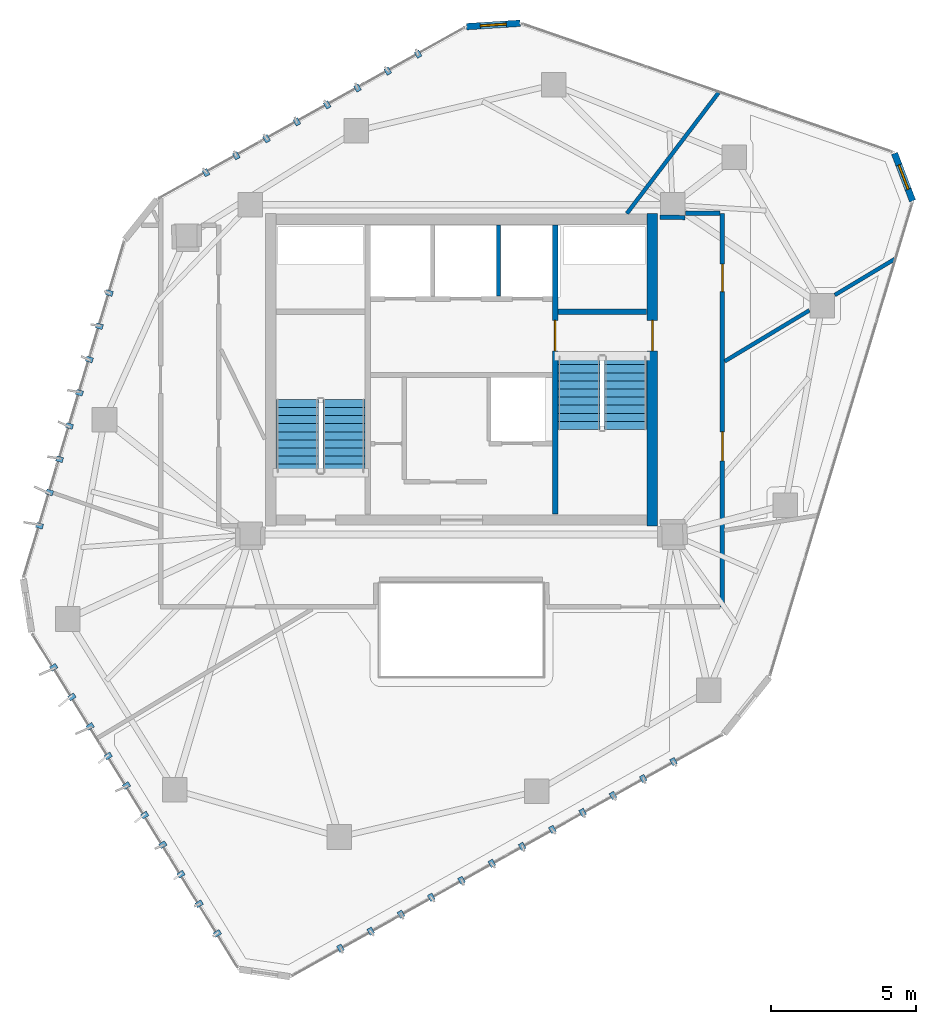
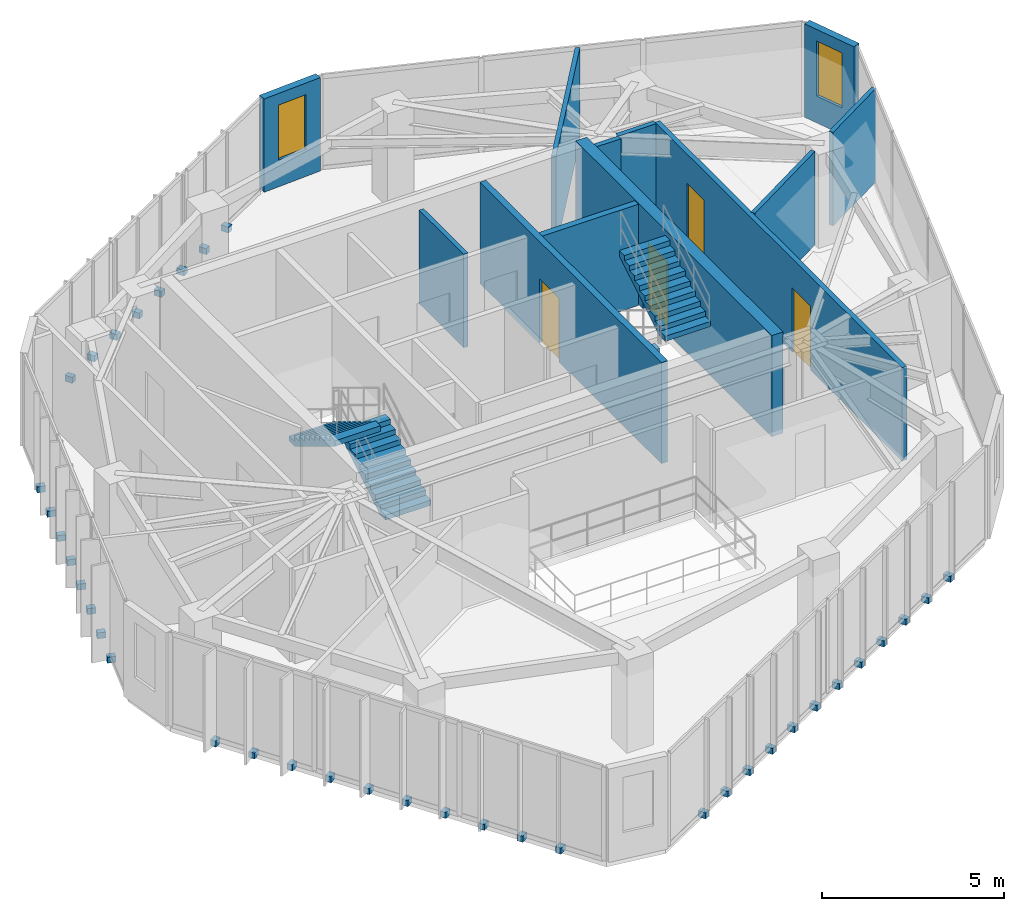
# One storey, part 18 of 20: 38 discrete accessories, 12 walls, 4 doors, 4 stair flights, 2 windows, 6 openings, 2 elements without a shape of their own.
"""IFC4 building model written with IfcOpenShell, lengths in metres."""

from ifc_helpers import new_model, si_unit, direction, frame, frame_2d, origin, origin_2d, place, context, subcontext, project, spatial, polyline, rectangle, outline, extrude, source, transform, mapped, material, layer, layer_set, type_object, type_shapes, element, fill, aggregate, save


model = new_model("IFC4")

# Units and contexts
model_context = context("Model", 3, precision=1e-05, world=origin(), true_north=direction((0.0, 1.0)))
body_context = subcontext(model_context, "Body", "Model", "MODEL_VIEW")
ifc_project = project(units=[si_unit("LENGTHUNIT", "METRE"), si_unit("AREAUNIT", "SQUARE_METRE"), si_unit("VOLUMEUNIT", "CUBIC_METRE"), si_unit("PLANEANGLEUNIT", "RADIAN"), si_unit("MASSUNIT", "GRAM", prefix="KILO")], contexts=[model_context])

# Site, building, storey
site_placement = place(None, origin())
site = spatial("IfcSite", under=ifc_project, at=site_placement, CompositionType="ELEMENT")
building_placement = place(site_placement, origin())
building = spatial("IfcBuilding", under=site, at=building_placement, Name="Talar Marvaseh", CompositionType="ELEMENT")
storey_placement = place(building_placement, frame((0.0, 0.0, 257.800048828125)))
storey = spatial("IfcBuildingStorey", under=building, at=storey_placement, Name="L68", CompositionType="ELEMENT", Elevation=257.800048828125)

# Wall, opening, window
ifc_material_1 = material(Name="Precast concrete C45/55", Category="concrete")
ifc_layer_1 = layer(ifc_material_1, 0.22509765625)
ifc_layer_set_1 = layer_set([ifc_layer_1], Name="Precast concrete C45/55")
wall_type_1 = type_object("IfcWallType", Name="Chamfered Hexagonal Corner Pier Wall Z4 225", PredefinedType="SOLIDWALL", material=ifc_layer_set_1)
wall_1_placement = place(storey_placement, frame((26.17724609375, 43.060546875, 0.0), z_axis=(0.0, 0.0, 1.0), x_axis=(0.998005735709, 0.063123303879, 0.0)))
wall_1 = element("IfcWall", 1, at=wall_1_placement, inside=storey, type_object=wall_type_1, Name="L68 Chamfered Corner Limestone Pier 4", PredefinedType="SOLIDWALL", context=body_context, shape_type="SweptSolid", body=[
    extrude(rectangle(XDim=1.8564453125, YDim=0.22509765625, at=frame_2d((0.92822265625, 0.0))), origin(), (0.0, 0.0, 1.0), 3.139892578125),
])
opening_1_placement = place(wall_1_placement, frame((0.47802734375, 0.0, 0.89990234375)))
opening_1 = element("IfcOpeningElement", 2, at=opening_1_placement, cuts=wall_1, Name="Opening WN-CHM09", PredefinedType="OPENING", context=body_context, shape_type="SweptSolid", body=[
    extrude(rectangle(XDim=0.89990234375, YDim=1.85009765625, at=frame_2d((0.449951171875, 0.925048828125))), frame((0.0, 0.12255859375, 0.0), z_axis=(0.0, -1.0, 0.0), x_axis=(1.0, 0.0, 0.0)), (0.0, 0.0, 1.0), 0.2451171875),
])
ifc_material_2 = material(Name="Laminated Low-E Solar Glass", Category="glass")
window_type = type_object("IfcWindowType", Name="Zone 4 Chamfered Corner Slot Window 900x1850", PartitioningType="SINGLE_PANEL", PredefinedType="WINDOW", material=ifc_material_2)
shared_shape_1 = source(origin(), body_context, "Body", "SweptSolid", [
    extrude(rectangle(XDim=0.89990234375, YDim=1.85009765625, at=frame_2d((0.449951171875, 0.925048828125))), frame((0.0, 0.030029296875, 0.0), z_axis=(0.0, -1.0, 0.0), x_axis=(1.0, 0.0, 0.0)), (0.0, 0.0, 1.0), 0.06005859375),
])
type_shapes(window_type, [shared_shape_1])
window_1_placement = place(opening_1_placement, origin())
window_1 = element("IfcWindow", 3, at=window_1_placement, inside=storey, type_object=window_type, Name="L68 Chamfered Corner Slot Window", OverallHeight=1.85009765625, OverallWidth=0.89990234375, PartitioningType="SINGLE_PANEL", PredefinedType="WINDOW", context=body_context, shape_type="MappedRepresentation", body=[
    mapped(shared_shape_1, transform((0.0, 0.0, 0.0), x_axis=(1.0, 0.0, 0.0), y_axis=(0.0, 1.0, 0.0), z_axis=(0.0, 0.0, 1.0), scale=1.0)),
])
fill(opening_1, window_1)

wall_2_placement = place(storey_placement, frame((40.974365234375, 38.6787109375, 0.0), z_axis=(0.0, 0.0, 1.0), x_axis=(0.355487121957, -0.934681178864, 0.0)))
wall_2 = element("IfcWall", 4, at=wall_2_placement, inside=storey, type_object=wall_type_1, Name="L68 Chamfered Corner Limestone Pier 5", PredefinedType="SOLIDWALL", context=body_context, shape_type="SweptSolid", body=[
    extrude(rectangle(XDim=1.758056640625, YDim=0.22509765625, at=frame_2d((0.87890625, 0.0))), origin(), (0.0, 0.0, 1.0), 3.139892578125),
])
opening_2_placement = place(wall_2_placement, frame((0.428955078125, 0.0, 0.89990234375)))
opening_2 = element("IfcOpeningElement", 5, at=opening_2_placement, cuts=wall_2, Name="Opening WN-CHM09", PredefinedType="OPENING", context=body_context, shape_type="SweptSolid", body=[
    extrude(rectangle(XDim=0.89990234375, YDim=1.85009765625, at=frame_2d((0.449951171875, 0.925048828125))), frame((0.0, 0.12255859375, 0.0), z_axis=(0.0, -1.0, 0.0), x_axis=(1.0, 0.0, 0.0)), (0.0, 0.0, 1.0), 0.2451171875),
])
window_2_placement = place(opening_2_placement, origin())
window_2 = element("IfcWindow", 6, at=window_2_placement, inside=storey, type_object=window_type, Name="L68 Chamfered Corner Slot Window", OverallHeight=1.85009765625, OverallWidth=0.89990234375, PartitioningType="SINGLE_PANEL", PredefinedType="WINDOW", context=body_context, shape_type="MappedRepresentation", body=[
    mapped(shared_shape_1, transform((0.0, 0.0, 0.0), x_axis=(1.0, 0.0, 0.0), y_axis=(0.0, 1.0, 0.0), z_axis=(0.0, 0.0, 1.0), scale=1.0)),
])
fill(opening_2, window_2)

# Wall, openings, doors
ifc_material_3 = material(Name="Gypsum Board Partition Assembly")
ifc_layer_2 = layer(ifc_material_3, 0.155029296875)
ifc_layer_set_2 = layer_set([ifc_layer_2], Name="Gypsum Board Partition Assembly")
wall_type_2 = type_object("IfcWallType", Name="Corridor Fire-Rated Acoustic Partition 155", PredefinedType="PARTITIONING", material=ifc_layer_set_2)
wall_3_placement = place(storey_placement, frame((35.02001953125, 36.60009765625, 0.0), z_axis=(0.0, 0.0, 1.0), x_axis=(0.0, -1.0, 0.0)))
wall_3 = element("IfcWall", 7, at=wall_3_placement, inside=storey, type_object=wall_type_2, Name="L68 Interior Partition Wall", PredefinedType="PARTITIONING", context=body_context, shape_type="SweptSolid", body=[
    extrude(rectangle(XDim=13.60009765625, YDim=0.155029296875, at=frame_2d((6.800048828125, 0.0))), origin(), (0.0, 0.0, 1.0), 3.139892578125),
])
opening_3_placement = place(wall_3_placement, frame((7.552490234375, 0.0, 0.0)))
opening_3 = element("IfcOpeningElement", 8, at=opening_3_placement, cuts=wall_3, Name="Opening DR-RM100", PredefinedType="OPENING", context=body_context, shape_type="SweptSolid", body=[
    extrude(rectangle(XDim=1.0, YDim=2.14990234375, at=frame_2d((0.5, 1.074951171875))), frame((0.0, 0.08740234375, 0.0), z_axis=(0.0, -1.0, 0.0), x_axis=(1.0, 0.0, 0.0)), (0.0, 0.0, 1.0), 0.175048828125),
])
opening_4_placement = place(wall_3_placement, frame((1.74951171875, 0.0, 0.0)))
opening_4 = element("IfcOpeningElement", 9, at=opening_4_placement, cuts=wall_3, Name="Opening DR-WC095", PredefinedType="OPENING", context=body_context, shape_type="SweptSolid", body=[
    extrude(rectangle(XDim=0.949951171875, YDim=2.14990234375, at=frame_2d((0.47509765625, 1.074951171875))), frame((0.0, 0.08740234375, 0.0), z_axis=(0.0, -1.0, 0.0), x_axis=(1.0, 0.0, 0.0)), (0.0, 0.0, 1.0), 0.175048828125),
])
ifc_material_4 = material(Name="Acoustic Engineered Oak Timber", Category="wood")
door_type_1 = type_object("IfcDoorType", Name="Washroom and Service Room Door 950x2150", OperationType="NOTDEFINED", PredefinedType="DOOR", material=ifc_material_4)
shared_shape_2 = source(origin(), body_context, "Body", "SweptSolid", [
    extrude(rectangle(XDim=0.949951171875, YDim=2.14990234375, at=frame_2d((0.47509765625, 1.074951171875))), frame((0.0, 0.02490234375, 0.0), z_axis=(0.0, -1.0, 0.0), x_axis=(1.0, 0.0, 0.0)), (0.0, 0.0, 1.0), 0.050048828125),
])
type_shapes(door_type_1, [shared_shape_2])
door_1_placement = place(opening_4_placement, origin())
door_1 = element("IfcDoor", 10, at=door_1_placement, inside=storey, type_object=door_type_1, Name="L68 Collection Conservation Store Door", OperationType="SINGLE_SWING_RIGHT", OverallHeight=2.14990234375, OverallWidth=0.949951171875, PredefinedType="DOOR", context=body_context, shape_type="MappedRepresentation", body=[
    mapped(shared_shape_2, transform((0.0, 0.0, 0.0), x_axis=(1.0, 0.0, 0.0), y_axis=(0.0, 1.0, 0.0), z_axis=(0.0, 0.0, 1.0), scale=1.0)),
])
fill(opening_4, door_1)
door_type_2 = type_object("IfcDoorType", Name="Corridor Fire-Rated Gallery Door 1000x2150", OperationType="NOTDEFINED", PredefinedType="DOOR", material=ifc_material_4)
shared_shape_3 = source(origin(), body_context, "Body", "SweptSolid", [
    extrude(rectangle(XDim=1.0, YDim=2.14990234375, at=frame_2d((0.5, 1.074951171875))), frame((0.0, 0.02490234375, 0.0), z_axis=(0.0, -1.0, 0.0), x_axis=(1.0, 0.0, 0.0)), (0.0, 0.0, 1.0), 0.050048828125),
])
type_shapes(door_type_2, [shared_shape_3])
door_2_placement = place(opening_3_placement, origin())
door_2 = element("IfcDoor", 11, at=door_2_placement, inside=storey, type_object=door_type_2, Name="L68 Artisan Craft Showroom Door", OperationType="SINGLE_SWING_LEFT", OverallHeight=2.14990234375, OverallWidth=1.0, PredefinedType="DOOR", context=body_context, shape_type="MappedRepresentation", body=[
    mapped(shared_shape_3, transform((0.0, 0.0, 0.0), x_axis=(1.0, 0.0, 0.0), y_axis=(0.0, 1.0, 0.0), z_axis=(0.0, 0.0, 1.0), scale=1.0)),
])
fill(opening_3, door_2)

# Walls
wall_4_placement = place(storey_placement, frame((32.8701171875, 36.464599609375, 0.0), z_axis=(0.0, 0.0, 1.0), x_axis=(0.999986873463, -0.005123758532, 0.0)))
element("IfcWall", 12, at=wall_4_placement, inside=storey, type_object=wall_type_2, Name="L68 Interior Partition Wall", PredefinedType="PARTITIONING", context=body_context, shape_type="SweptSolid", body=[
    extrude(rectangle(XDim=0.857666015625, YDim=0.155029296875, at=frame_2d((0.4287109375, 0.0))), origin(), (0.0, 0.0, 1.0), 3.139892578125),
])
wall_5_placement = place(storey_placement, frame((33.739990234375, 36.60009765625, 0.0), z_axis=(0.0, 0.0, 1.0), x_axis=(1.0, 0.0, 0.0)))
element("IfcWall", 13, at=wall_5_placement, inside=storey, type_object=wall_type_2, Name="L68 Interior Partition Wall", PredefinedType="PARTITIONING", context=body_context, shape_type="SweptSolid", body=[
    extrude(rectangle(XDim=1.196533203125, YDim=0.155029296875, at=frame_2d((0.59814453125, 0.0))), origin(), (0.0, 0.0, 1.0), 3.139892578125),
])
ifc_layer_3 = layer(ifc_material_1, 0.14501953125)
ifc_layer_set_3 = layer_set([ifc_layer_3], Name="Precast concrete C45/55")
wall_type_3 = type_object("IfcWallType", Name="Fire-Rated Lift Divider Wall 145", PredefinedType="SOLIDWALL", material=ifc_layer_set_3)
wall_6_placement = place(storey_placement, frame((27.280029296875, 33.743408203125, 0.0), z_axis=(0.0, 0.0, 1.0), x_axis=(0.0, 1.0, 0.0)))
element("IfcWall", 14, at=wall_6_placement, inside=storey, type_object=wall_type_3, Name="L68 FFL-2/SVL-1 Divider", PredefinedType="SOLIDWALL", context=body_context, shape_type="SweptSolid", body=[
    extrude(rectangle(XDim=2.45654296875, YDim=0.14501953125, at=frame_2d((1.228271484375, 0.0))), origin(), (0.0, 0.0, 1.0), 3.139892578125),
])
ifc_layer_4 = layer(ifc_material_3, 0.135009765625)
ifc_layer_set_4 = layer_set([ifc_layer_4], Name="Gypsum Board Partition Assembly")
wall_type_4 = type_object("IfcWallType", Name="Gallery High-Acoustic Partition 135", PredefinedType="PARTITIONING", material=ifc_layer_set_4)
wall_7_placement = place(storey_placement, frame((35.103515625, 31.490234375, 0.0), z_axis=(0.0, 0.0, 1.0), x_axis=(0.856994170777, 0.515326101857, 0.0)))
element("IfcWall", 15, at=wall_7_placement, inside=storey, type_object=wall_type_4, Name="L68 Interior Partition Wall", PredefinedType="PARTITIONING", context=body_context, shape_type="SweptSolid", body=[
    extrude(rectangle(XDim=3.414794921875, YDim=0.135009765625, at=frame_2d((1.70751953125, 0.0))), origin(), (0.0, 0.0, 1.0), 3.139892578125),
])
wall_8_placement = place(storey_placement, frame((38.909912109375, 33.780029296875, 0.0), z_axis=(0.0, 0.0, 1.0), x_axis=(0.857501804008, 0.514480957979, 0.0)))
element("IfcWall", 16, at=wall_8_placement, inside=storey, type_object=wall_type_4, Name="L68 Interior Partition Wall", PredefinedType="PARTITIONING", context=body_context, shape_type="SweptSolid", body=[
    extrude(rectangle(XDim=2.42626953125, YDim=0.135009765625, at=frame_2d((1.213134765625, 0.0))), origin(), (0.0, 0.0, 1.0), 3.139892578125),
])
wall_9_placement = place(storey_placement, frame((31.719970703125, 36.60009765625, 0.0), z_axis=(0.0, 0.0, 1.0), x_axis=(0.604758951558, 0.796408570089, 0.0)))
element("IfcWall", 17, at=wall_9_placement, inside=storey, type_object=wall_type_4, Name="L68 Interior Partition Wall", PredefinedType="PARTITIONING", context=body_context, shape_type="SweptSolid", body=[
    extrude(rectangle(XDim=5.249755859375, YDim=0.135009765625, at=frame_2d((2.625, 0.0))), origin(), (0.0, 0.0, 1.0), 3.139892578125),
])

# Wall, opening, door
ifc_material_5 = material(Name="Concrete C50/60", Category="concrete")
ifc_layer_5 = layer(ifc_material_5, 0.199951171875)
ifc_layer_set_5 = layer_set([ifc_layer_5], Name="Concrete C50/60")
wall_type_5 = type_object("IfcWallType", Name="Stair Shaft Structural Concrete Shear Wall 200", PredefinedType="SHEAR", material=ifc_layer_set_5)
wall_10_placement = place(storey_placement, frame((29.239990234375, 26.199951171875, 0.0), z_axis=(0.0, 0.0, 1.0), x_axis=(0.0, 1.0, 0.0)))
wall_10 = element("IfcWall", 18, at=wall_10_placement, inside=storey, type_object=wall_type_5, Name="L68 Core East Stair Shear Wall", PredefinedType="SHEAR", context=body_context, shape_type="SweptSolid", body=[
    extrude(rectangle(XDim=10.0, YDim=0.199951171875, at=frame_2d((5.0, 0.0))), origin(), (0.0, 0.0, 1.0), 3.39990234375),
])
opening_5_placement = place(wall_10_placement, frame((5.64990234375, 0.0, 0.0)))
opening_5 = element("IfcOpeningElement", 19, at=opening_5_placement, cuts=wall_10, Name="Opening DR-ST105", PredefinedType="OPENING", context=body_context, shape_type="SweptSolid", body=[
    extrude(rectangle(XDim=1.050048828125, YDim=2.14990234375, at=frame_2d((0.52490234375, 1.074951171875))), frame((0.0, 0.10986328125, 0.0), z_axis=(0.0, -1.0, 0.0), x_axis=(1.0, 0.0, 0.0)), (0.0, 0.0, 1.0), 0.219970703125),
])
ifc_material_6 = material(Name="Fire-Rated Steel Door Leaf", Category="steel")
door_type_3 = type_object("IfcDoorType", Name="Protected Exit Stair Fire Door 1050x2150", OperationType="NOTDEFINED", PredefinedType="DOOR", material=ifc_material_6)
shared_shape_4 = source(origin(), body_context, "Body", "SweptSolid", [
    extrude(rectangle(XDim=1.050048828125, YDim=2.14990234375, at=frame_2d((0.52490234375, 1.074951171875))), frame((0.0, 0.02490234375, 0.0), z_axis=(0.0, -1.0, 0.0), x_axis=(1.0, 0.0, 0.0)), (0.0, 0.0, 1.0), 0.050048828125),
])
type_shapes(door_type_3, [shared_shape_4])
door_3_placement = place(opening_5_placement, origin())
door_3 = element("IfcDoor", 20, at=door_3_placement, inside=storey, type_object=door_type_3, Name="L68 Firefighting Lobby to Stair ST-2 Door", OperationType="SINGLE_SWING_LEFT", OverallHeight=2.14990234375, OverallWidth=1.050048828125, PredefinedType="DOOR", context=body_context, shape_type="MappedRepresentation", body=[
    mapped(shared_shape_4, transform((0.0, 0.0, 0.0), x_axis=(1.0, 0.0, 0.0), y_axis=(0.0, 1.0, 0.0), z_axis=(0.0, 0.0, 1.0), scale=1.0)),
])
fill(opening_5, door_3)

# Wall
wall_11_placement = place(storey_placement, frame((29.340087890625, 33.199951171875, 0.0), z_axis=(0.0, 0.0, 1.0), x_axis=(1.0, 0.0, 0.0)))
element("IfcWall", 21, at=wall_11_placement, inside=storey, type_object=wall_type_5, Name="L68 Stair ST-2 North Shear Wall", PredefinedType="SHEAR", context=body_context, shape_type="SweptSolid", body=[
    extrude(rectangle(XDim=3.059814453125, YDim=0.199951171875, at=frame_2d((1.52978515625, 0.0))), origin(), (0.0, 0.0, 1.0), 3.39990234375),
])

# Wall, opening, door
ifc_layer_6 = layer(ifc_material_5, 0.360107421875)
ifc_layer_set_6 = layer_set([ifc_layer_6], Name="Concrete C50/60")
wall_type_6 = type_object("IfcWallType", Name="Upper Core Reinforced Concrete Shear Wall 360", PredefinedType="SHEAR", material=ifc_layer_set_6)
wall_12_placement = place(storey_placement, frame((32.60009765625, 36.60009765625, 0.0), z_axis=(0.0, 0.0, 1.0), x_axis=(0.0, -1.0, 0.0)))
wall_12 = element("IfcWall", 22, at=wall_12_placement, inside=storey, type_object=wall_type_6, Name="L68 East Core Shear Wall", PredefinedType="SHEAR", context=body_context, shape_type="SweptSolid", body=[
    extrude(rectangle(XDim=10.800048828125, YDim=0.360107421875, at=frame_2d((5.39990234375, 0.0))), origin(), (0.0, 0.0, 1.0), 3.39990234375),
])
opening_6_placement = place(wall_12_placement, frame((3.699951171875, 0.0, 0.0)))
opening_6 = element("IfcOpeningElement", 23, at=opening_6_placement, cuts=wall_12, Name="Opening DR-ST105", PredefinedType="OPENING", context=body_context, shape_type="SweptSolid", body=[
    extrude(rectangle(XDim=1.050048828125, YDim=2.14990234375, at=frame_2d((0.52490234375, 1.074951171875))), frame((0.0, 0.18994140625, 0.0), z_axis=(0.0, -1.0, 0.0), x_axis=(1.0, 0.0, 0.0)), (0.0, 0.0, 1.0), 0.380126953125),
])
door_4_placement = place(opening_6_placement, origin())
door_4 = element("IfcDoor", 24, at=door_4_placement, inside=storey, type_object=door_type_3, Name="L68 Stair ST-2 Corridor Exit Door", OperationType="SINGLE_SWING_LEFT", OverallHeight=2.14990234375, OverallWidth=1.050048828125, PredefinedType="DOOR", context=body_context, shape_type="MappedRepresentation", body=[
    mapped(shared_shape_4, transform((0.0, 0.0, 0.0), x_axis=(1.0, 0.0, 0.0), y_axis=(0.0, 1.0, 0.0), z_axis=(0.0, 0.0, 1.0), scale=1.0)),
])
fill(opening_6, door_4)

# Stair, stair flights
ifc_material_7 = material(Name="Concrete C40/50", Category="concrete")
stair_type = type_object("IfcStairType", Name="Reinforced Concrete High-Rise Exit Stair Type C", PredefinedType="HALF_TURN_STAIR", material=ifc_material_7)
stair_1_placement = place(storey_placement, origin())
stair_1 = element("IfcStair", 25, at=stair_1_placement, inside=storey, type_object=stair_type, Name="L68 Tower West Core Exit Stair", PredefinedType="HALF_TURN_STAIR")
ifc_layer_7 = layer(ifc_material_7, 0.159912109375)
ifc_layer_set_7 = layer_set([ifc_layer_7], Name="Concrete C40/50")
stair_flight_type = type_object("IfcStairFlightType", Name="Reinforced Concrete Straight Stair Flight 160", PredefinedType="STRAIGHT", material=ifc_layer_set_7)
stair_flight_1_placement = place(storey_placement, frame((21.93505859375, 27.64990234375, 0.0), z_axis=(0.0, 0.0, 1.0), x_axis=(0.0, 1.0, 0.0)))
stair_flight_1 = element("IfcStairFlight", 26, at=stair_flight_1_placement, type_object=stair_flight_type, Name="ST-1 flight 1", NumberOfRisers=10, NumberOfTreads=9, PredefinedType="STRAIGHT", RiserHeight=0.17, TreadLength=0.28, context=body_context, shape_type="SweptSolid", body=[
    extrude(outline(polyline([(0.0, 0.0), (0.0, 0.169921875), (0.280029296875, 0.169921875), (0.280029296875, 0.340087890625), (0.56005859375, 0.340087890625), (0.56005859375, 0.510009765625), (0.840087890625, 0.510009765625), (0.840087890625, 0.679931640625), (1.1201171875, 0.679931640625), (1.1201171875, 0.85009765625), (1.39990234375, 0.85009765625), (1.39990234375, 1.02001953125), (1.679931640625, 1.02001953125), (1.679931640625, 1.18994140625), (1.9599609375, 1.18994140625), (1.9599609375, 1.360107421875), (2.239990234375, 1.360107421875), (2.239990234375, 1.530029296875), (2.52001953125, 1.530029296875), (2.52001953125, 1.699951171875), (2.52001953125, 1.343017578125), (0.30810546875, 0.0), (0.0, 0.0)])), frame((0.0, 0.72509765625, 0.0), z_axis=(0.0, -1.0, 0.0), x_axis=(1.0, 0.0, 0.0)), (0.0, 0.0, 1.0), 1.449951171875),
])
stair_flight_2_placement = place(storey_placement, frame((20.324951171875, 30.169921875, 1.699951171875), z_axis=(0.0, 0.0, 1.0), x_axis=(0.0, -1.0, 0.0)))
stair_flight_2 = element("IfcStairFlight", 27, at=stair_flight_2_placement, type_object=stair_flight_type, Name="ST-1 flight 2", NumberOfRisers=10, NumberOfTreads=9, PredefinedType="STRAIGHT", RiserHeight=0.17, TreadLength=0.28, context=body_context, shape_type="SweptSolid", body=[
    extrude(outline(polyline([(0.0, 0.0), (0.0, 0.169921875), (0.280029296875, 0.169921875), (0.280029296875, 0.340087890625), (0.56005859375, 0.340087890625), (0.56005859375, 0.510009765625), (0.840087890625, 0.510009765625), (0.840087890625, 0.679931640625), (1.1201171875, 0.679931640625), (1.1201171875, 0.85009765625), (1.39990234375, 0.85009765625), (1.39990234375, 1.02001953125), (1.679931640625, 1.02001953125), (1.679931640625, 1.18994140625), (1.9599609375, 1.18994140625), (1.9599609375, 1.360107421875), (2.239990234375, 1.360107421875), (2.239990234375, 1.530029296875), (2.52001953125, 1.530029296875), (2.52001953125, 1.699951171875), (2.52001953125, 1.343017578125), (0.30810546875, 0.0), (0.0, 0.0)])), frame((0.0, 0.72509765625, 0.0), z_axis=(0.0, -1.0, 0.0), x_axis=(1.0, 0.0, 0.0)), (0.0, 0.0, 1.0), 1.449951171875),
])
aggregate(stair_1, [stair_flight_1, stair_flight_2])

stair_2_placement = place(storey_placement, origin())
stair_2 = element("IfcStair", 28, at=stair_2_placement, inside=storey, type_object=stair_type, Name="L68 Tower East Core Exit Stair", PredefinedType="HALF_TURN_STAIR")
stair_flight_3_placement = place(storey_placement, frame((30.06494140625, 31.64990234375, 0.0), z_axis=(0.0, 0.0, 1.0), x_axis=(0.0, -1.0, 0.0)))
stair_flight_3 = element("IfcStairFlight", 29, at=stair_flight_3_placement, type_object=stair_flight_type, Name="ST-2 flight 1", NumberOfRisers=10, NumberOfTreads=9, PredefinedType="STRAIGHT", RiserHeight=0.17, TreadLength=0.28, context=body_context, shape_type="SweptSolid", body=[
    extrude(outline(polyline([(0.0, 0.0), (0.0, 0.169921875), (0.280029296875, 0.169921875), (0.280029296875, 0.340087890625), (0.56005859375, 0.340087890625), (0.56005859375, 0.510009765625), (0.840087890625, 0.510009765625), (0.840087890625, 0.679931640625), (1.1201171875, 0.679931640625), (1.1201171875, 0.85009765625), (1.39990234375, 0.85009765625), (1.39990234375, 1.02001953125), (1.679931640625, 1.02001953125), (1.679931640625, 1.18994140625), (1.9599609375, 1.18994140625), (1.9599609375, 1.360107421875), (2.239990234375, 1.360107421875), (2.239990234375, 1.530029296875), (2.52001953125, 1.530029296875), (2.52001953125, 1.699951171875), (2.52001953125, 1.343017578125), (0.30810546875, 0.0), (0.0, 0.0)])), frame((0.0, 0.72509765625, 0.0), z_axis=(0.0, -1.0, 0.0), x_axis=(1.0, 0.0, 0.0)), (0.0, 0.0, 1.0), 1.449951171875),
])
stair_flight_4_placement = place(storey_placement, frame((31.675048828125, 29.1298828125, 1.699951171875), z_axis=(0.0, 0.0, 1.0), x_axis=(0.0, 1.0, 0.0)))
stair_flight_4 = element("IfcStairFlight", 30, at=stair_flight_4_placement, type_object=stair_flight_type, Name="ST-2 flight 2", NumberOfRisers=10, NumberOfTreads=9, PredefinedType="STRAIGHT", RiserHeight=0.17, TreadLength=0.28, context=body_context, shape_type="SweptSolid", body=[
    extrude(outline(polyline([(0.0, 0.0), (0.0, 0.169921875), (0.280029296875, 0.169921875), (0.280029296875, 0.340087890625), (0.56005859375, 0.340087890625), (0.56005859375, 0.510009765625), (0.840087890625, 0.510009765625), (0.840087890625, 0.679931640625), (1.1201171875, 0.679931640625), (1.1201171875, 0.85009765625), (1.39990234375, 0.85009765625), (1.39990234375, 1.02001953125), (1.679931640625, 1.02001953125), (1.679931640625, 1.18994140625), (1.9599609375, 1.18994140625), (1.9599609375, 1.360107421875), (2.239990234375, 1.360107421875), (2.239990234375, 1.530029296875), (2.52001953125, 1.530029296875), (2.52001953125, 1.699951171875), (2.52001953125, 1.343017578125), (0.30810546875, 0.0), (0.0, 0.0)])), frame((0.0, 0.72509765625, 0.0), z_axis=(0.0, -1.0, 0.0), x_axis=(1.0, 0.0, 0.0)), (0.0, 0.0, 1.0), 1.449951171875),
])
aggregate(stair_2, [stair_flight_3, stair_flight_4])

# Discrete accessories
ifc_material_8 = material(Name="Stainless Steel Grade 316", Category="steel")
discrete_accessory_type = type_object("IfcDiscreteAccessoryType", Name="Stainless Slab-Edge Fin Mounting Bracket", PredefinedType="BRACKET", material=ifc_material_8)
shared_shape_5 = source(origin(), body_context, "Body", "SweptSolid", [
    extrude(rectangle(XDim=0.239990234375, YDim=0.179931640625, at=origin_2d()), origin(), (0.0, 0.0, 1.0), 0.199951171875),
])
type_shapes(discrete_accessory_type, [shared_shape_5])
for number, where, z_axis, x_axis, name in (
    (31, (17.559326171875, 11.706787109375, -0.18017578125), (0.0, 0.0, 1.0), (-0.851726934143, -0.52398590597, 0.0), "L68 Vertical Fin Slab-Edge Bracket"),
    (32, (16.9306640625, 12.72900390625, -0.18017578125), (0.0, 0.0, 1.0), (-0.851726934143, -0.52398590597, 0.0), "L68 Vertical Fin Slab-Edge Bracket"),
    (33, (16.302001953125, 13.7509765625, -0.18017578125), (0.0, 0.0, 1.0), (-0.851726934143, -0.52398590597, 0.0), "L68 Vertical Fin Slab-Edge Bracket"),
    (34, (15.67333984375, 14.773193359375, -0.18017578125), (0.0, 0.0, 1.0), (-0.851726934143, -0.52398590597, 0.0), "L68 Vertical Fin Slab-Edge Bracket"),
    (35, (15.044677734375, 15.795166015625, -0.18017578125), (0.0, 0.0, 1.0), (-0.851726934143, -0.52398590597, 0.0), "L68 Vertical Fin Slab-Edge Bracket"),
    (36, (14.416015625, 16.8173828125, -0.18017578125), (0.0, 0.0, 1.0), (-0.851726934143, -0.52398590597, 0.0), "L68 Vertical Fin Slab-Edge Bracket"),
    (37, (13.787109375, 17.839599609375, -0.18017578125), (0.0, 0.0, 1.0), (-0.851726934143, -0.52398590597, 0.0), "L68 Vertical Fin Slab-Edge Bracket"),
    (38, (13.158447265625, 18.861572265625, -0.18017578125), (0.0, 0.0, 1.0), (-0.851726934143, -0.52398590597, 0.0), "L68 Vertical Fin Slab-Edge Bracket"),
    (39, (12.52978515625, 19.8837890625, -0.18017578125), (0.0, 0.0, 1.0), (-0.851726934143, -0.52398590597, 0.0), "L68 Vertical Fin Slab-Edge Bracket"),
    (40, (11.90087890625, 20.90576171875, -0.18017578125), (0.0, 0.0, 1.0), (-0.851726934143, -0.52398590597, 0.0), "L68 Vertical Fin Slab-Edge Bracket"),
    (41, (11.4140625, 25.802490234375, -0.18017578125), (0.0, 0.0, 1.0), (-0.957922744234, 0.287026159226, 0.0), "L68 Vertical Fin Slab-Edge Bracket"),
    (42, (11.75830078125, 26.9521484375, -0.18017578125), (0.0, 0.0, 1.0), (-0.957922744234, 0.287026159226, 0.0), "L68 Vertical Fin Slab-Edge Bracket"),
    (43, (12.102783203125, 28.1015625, -0.18017578125), (0.0, 0.0, 1.0), (-0.957922744234, 0.287026159226, 0.0), "L68 Vertical Fin Slab-Edge Bracket"),
    (44, (12.447509765625, 29.251220703125, -0.18017578125), (0.0, 0.0, 1.0), (-0.957922744234, 0.287026159226, 0.0), "L68 Vertical Fin Slab-Edge Bracket"),
    (45, (12.7919921875, 30.400634765625, -0.18017578125), (0.0, 0.0, 1.0), (-0.957922744234, 0.287026159226, 0.0), "L68 Vertical Fin Slab-Edge Bracket"),
    (46, (13.13623046875, 31.550048828125, -0.18017578125), (0.0, 0.0, 1.0), (-0.957922744234, 0.287026159226, 0.0), "L68 Vertical Fin Slab-Edge Bracket"),
    (47, (13.480712890625, 32.69970703125, -0.18017578125), (0.0, 0.0, 1.0), (-0.957922744234, 0.287026159226, 0.0), "L68 Vertical Fin Slab-Edge Bracket"),
    (48, (13.8251953125, 33.84912109375, -0.18017578125), (0.0, 0.0, 1.0), (-0.957922744234, 0.287026159226, 0.0), "L68 Vertical Fin Slab-Edge Bracket"),
    (49, (17.166259765625, 38.011962890625, -0.18017578125), (0.0, 0.0, 1.0), (-0.487554922136, 0.873092319232, 0.0), "L68 Vertical Fin Slab-Edge Bracket"),
    (50, (18.214111328125, 38.596923828125, -0.18017578125), (0.0, 0.0, 1.0), (-0.487554922136, 0.873092319232, 0.0), "L68 Vertical Fin Slab-Edge Bracket"),
    (51, (19.26171875, 39.18212890625, -0.18017578125), (0.0, 0.0, 1.0), (-0.487554922136, 0.873092319232, 0.0), "L68 Vertical Fin Slab-Edge Bracket"),
    (52, (20.309326171875, 39.76708984375, -0.18017578125), (0.0, 0.0, 1.0), (-0.487554922136, 0.873092319232, 0.0), "L68 Vertical Fin Slab-Edge Bracket"),
    (53, (21.357177734375, 40.352294921875, -0.18017578125), (0.0, 0.0, 1.0), (-0.487554922136, 0.873092319232, 0.0), "L68 Vertical Fin Slab-Edge Bracket"),
    (54, (22.40478515625, 40.9375, -0.18017578125), (0.0, 0.0, 1.0), (-0.487554922136, 0.873092319232, 0.0), "L68 Vertical Fin Slab-Edge Bracket"),
    (55, (23.452392578125, 41.5224609375, -0.18017578125), (0.0, 0.0, 1.0), (-0.487554922136, 0.873092319232, 0.0), "L68 Vertical Fin Slab-Edge Bracket"),
    (56, (24.500244140625, 42.107666015625, -0.18017578125), (0.0, 0.0, 1.0), (-0.487554922136, 0.873092319232, 0.0), "L68 Vertical Fin Slab-Edge Bracket"),
    (57, (33.33203125, 17.646728515625, -0.18017578125), (0.0, 0.0, 1.0), (0.488773513334, -0.87241071329, 0.0), "L68 Vertical Fin Slab-Edge Bracket"),
    (58, (32.28515625, 17.060302734375, -0.18017578125), (0.0, 0.0, 1.0), (0.488773513334, -0.87241071329, 0.0), "L68 Vertical Fin Slab-Edge Bracket"),
    (59, (31.23828125, 16.4736328125, -0.18017578125), (0.0, 0.0, 1.0), (0.488773513334, -0.87241071329, 0.0), "L68 Vertical Fin Slab-Edge Bracket"),
    (60, (30.19140625, 15.88720703125, -0.18017578125), (0.0, 0.0, 1.0), (0.488773513334, -0.87241071329, 0.0), "L68 Vertical Fin Slab-Edge Bracket"),
    (61, (29.144287109375, 15.30078125, -0.18017578125), (0.0, 0.0, 1.0), (0.488773513334, -0.87241071329, 0.0), "L68 Vertical Fin Slab-Edge Bracket"),
    (62, (28.097412109375, 14.714111328125, -0.18017578125), (0.0, 0.0, 1.0), (0.488773513334, -0.87241071329, 0.0), "L68 Vertical Fin Slab-Edge Bracket"),
    (63, (27.050537109375, 14.127685546875, -0.18017578125), (0.0, 0.0, 1.0), (0.488773513334, -0.87241071329, 0.0), "L68 Vertical Fin Slab-Edge Bracket"),
    (64, (26.003662109375, 13.541259765625, -0.18017578125), (0.0, 0.0, 1.0), (0.488773513334, -0.87241071329, 0.0), "L68 Vertical Fin Slab-Edge Bracket"),
    (65, (24.956787109375, 12.95458984375, -0.18017578125), (0.0, 0.0, 1.0), (0.488773513334, -0.87241071329, 0.0), "L68 Vertical Fin Slab-Edge Bracket"),
    (66, (23.909912109375, 12.3681640625, -0.18017578125), (0.0, 0.0, 1.0), (0.488773513334, -0.87241071329, 0.0), "L68 Vertical Fin Slab-Edge Bracket"),
    (67, (22.86279296875, 11.78173828125, -0.18017578125), (0.0, 0.0, 1.0), (0.488773513334, -0.87241071329, 0.0), "L68 Vertical Fin Slab-Edge Bracket"),
    (68, (21.81591796875, 11.1953125, -0.18017578125), (0.0, 0.0, 1.0), (0.488773513334, -0.87241071329, 0.0), "L68 Vertical Fin Slab-Edge Bracket"),
):
    element("IfcDiscreteAccessory", number, at=place(storey_placement, frame(where, z_axis=z_axis, x_axis=x_axis)), inside=storey, type_object=discrete_accessory_type, Name=name, PredefinedType="BRACKET", context=body_context, shape_type="MappedRepresentation", body=[
        mapped(shared_shape_5, transform((0.0, 0.0, 0.0), x_axis=(1.0, 0.0, 0.0), y_axis=(0.0, 1.0, 0.0), z_axis=(0.0, 0.0, 1.0), scale=1.0)),
    ])

save(model, "model.ifc")
